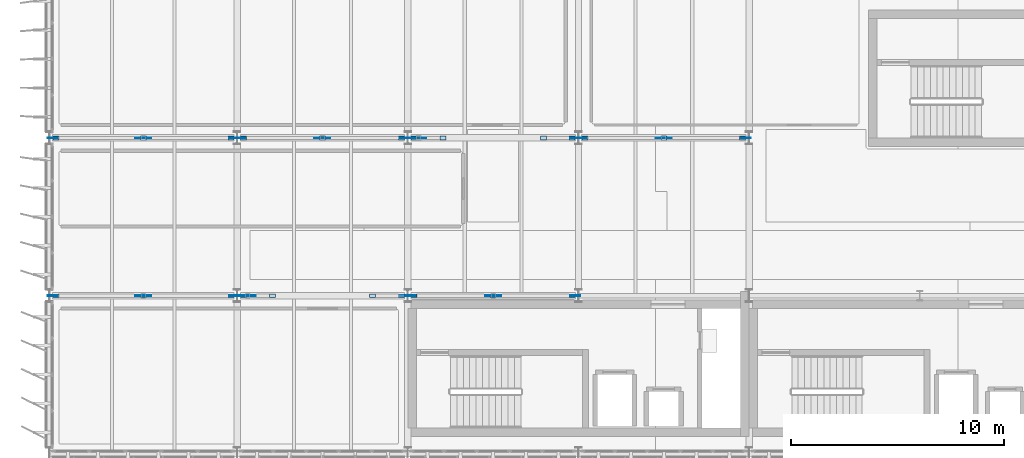
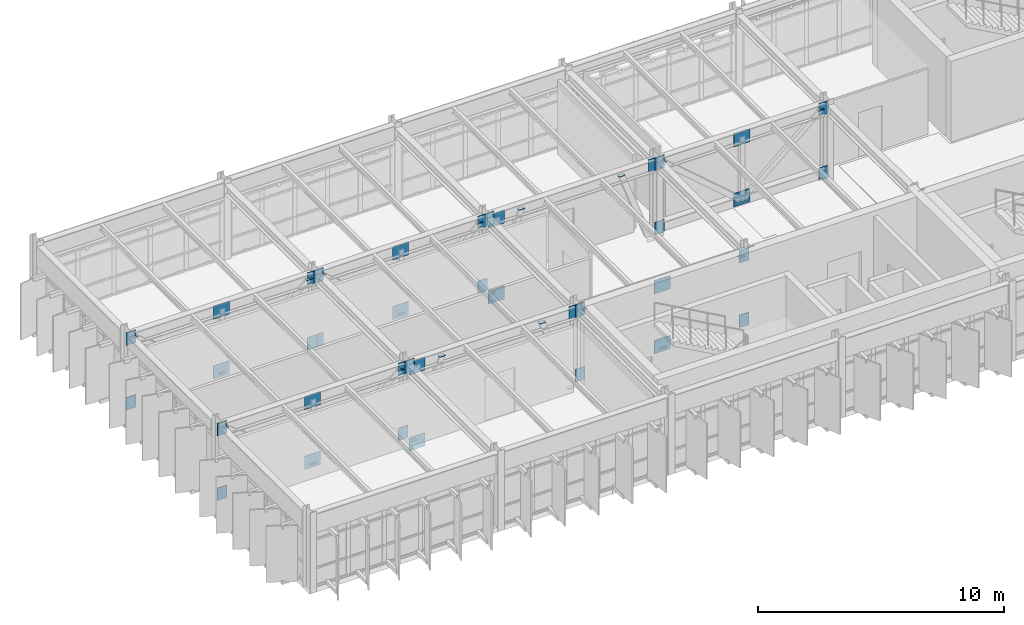
# One storey, part 35 of 56: 61 plates.
"""IFC4 building model written with IfcOpenShell, lengths in metres."""

from ifc_helpers import new_model, si_unit, direction, frame, origin, origin_2d, place, context, subcontext, project, spatial, rectangle, extrude, material, layer, layer_set, type_object, element, save


model = new_model("IFC4")

# Units and contexts
model_context = context("Model", 3, precision=1e-05, world=origin(), true_north=direction((0.0, 1.0)))
body_context = subcontext(model_context, "Body", "Model", "MODEL_VIEW")
ifc_project = project(units=[si_unit("LENGTHUNIT", "METRE"), si_unit("AREAUNIT", "SQUARE_METRE"), si_unit("VOLUMEUNIT", "CUBIC_METRE"), si_unit("PLANEANGLEUNIT", "RADIAN"), si_unit("MASSUNIT", "GRAM", prefix="KILO")], contexts=[model_context])

# Site, building, storey
site_placement = place(None, origin())
site = spatial("IfcSite", under=ifc_project, at=site_placement, CompositionType="ELEMENT")
building_placement = place(site_placement, origin())
building = spatial("IfcBuilding", under=site, at=building_placement, Name="Valkorina Park Police Headquarters", CompositionType="ELEMENT")
storey_placement = place(building_placement, frame((0.0, 0.0, 14.10009765625)))
storey = spatial("IfcBuildingStorey", under=building, at=storey_placement, Name="L04", CompositionType="ELEMENT", Elevation=14.10009765625)

# Plates
ifc_material = material(Name="Steel S355", Category="steel")
ifc_layer_1 = layer(ifc_material, 0.02001953125)
ifc_layer_set_1 = layer_set([ifc_layer_1], Name="Steel S355")
plate_type_1 = type_object("IfcPlateType", Name="PL-ENDCAP-20", PredefinedType="USERDEFINED", material=ifc_layer_set_1)
for number, where, z_axis, x_axis, name in (
    (1, (0.300048828125, 44.39990234375, 3.44482421875), (0.0, 0.0, 1.0), (1.0, 0.0, 0.0), "Truss RHS End Cap Plate 131"),
    (2, (4.39990234375, 44.39990234375, 0.239990234375), (0.0, 0.0, 1.0), (1.0, 0.0, 0.0), "Truss RHS End Cap Plate 132"),
    (3, (8.5, 44.39990234375, 3.44482421875), (0.0, 0.0, 1.0), (1.0, 0.0, 0.0), "Truss RHS End Cap Plate 133"),
    (4, (9.10009765625, 44.39990234375, -0.255126953125), (0.0, 0.0, 1.0), (1.0, 0.0, 0.0), "Truss RHS End Cap Plate 138"),
    (5, (10.449951171875, 44.39990234375, 3.44482421875), (0.0, 0.0, 1.0), (1.0, 0.0, 0.0), "Truss RHS End Cap Plate 139"),
    (6, (15.14990234375, 44.39990234375, 3.44482421875), (0.0, 0.0, 1.0), (1.0, 0.0, 0.0), "Truss RHS End Cap Plate 140"),
    (7, (16.5, 44.39990234375, -0.255126953125), (0.0, 0.0, 1.0), (1.0, 0.0, 0.0), "Truss RHS End Cap Plate 141"),
    (8, (17.10009765625, 44.39990234375, 3.44482421875), (0.0, 0.0, 1.0), (1.0, 0.0, 0.0), "Truss RHS End Cap Plate 148"),
    (9, (20.800048828125, 44.39990234375, 0.239990234375), (0.0, 0.0, 1.0), (1.0, 0.0, 0.0), "Truss RHS End Cap Plate 149"),
    (10, (24.5, 44.39990234375, 3.44482421875), (0.0, 0.0, 1.0), (1.0, 0.0, 0.0), "Truss RHS End Cap Plate 150"),
    (11, (0.300048828125, 51.800048828125, 3.44482421875), (0.0, 0.0, 1.0), (1.0, 0.0, 0.0), "Truss RHS End Cap Plate 157"),
    (12, (4.39990234375, 51.800048828125, 0.239990234375), (0.0, 0.0, 1.0), (1.0, 0.0, 0.0), "Truss RHS End Cap Plate 158"),
    (13, (8.5, 51.800048828125, 3.44482421875), (0.0, 0.0, 1.0), (1.0, 0.0, 0.0), "Truss RHS End Cap Plate 159"),
    (14, (9.10009765625, 51.800048828125, 3.44482421875), (0.0, 0.0, 1.0), (1.0, 0.0, 0.0), "Truss RHS End Cap Plate 166"),
    (15, (12.800048828125, 51.800048828125, 0.239990234375), (0.0, 0.0, 1.0), (1.0, 0.0, 0.0), "Truss RHS End Cap Plate 167"),
    (16, (16.5, 51.800048828125, 3.44482421875), (0.0, 0.0, 1.0), (1.0, 0.0, 0.0), "Truss RHS End Cap Plate 168"),
    (17, (17.10009765625, 51.800048828125, -0.255126953125), (0.0, 0.0, 1.0), (1.0, 0.0, 0.0), "Truss RHS End Cap Plate 173"),
    (18, (18.449951171875, 51.800048828125, 3.44482421875), (0.0, 0.0, 1.0), (1.0, 0.0, 0.0), "Truss RHS End Cap Plate 174"),
    (19, (23.14990234375, 51.800048828125, 3.44482421875), (0.0, 0.0, 1.0), (1.0, 0.0, 0.0), "Truss RHS End Cap Plate 175"),
    (20, (24.5, 51.800048828125, -0.255126953125), (0.0, 0.0, 1.0), (1.0, 0.0, 0.0), "Truss RHS End Cap Plate 176"),
    (21, (25.10009765625, 51.800048828125, 3.44482421875), (0.0, 0.0, 1.0), (1.0, 0.0, 0.0), "Truss RHS End Cap Plate 183"),
    (22, (28.800048828125, 51.800048828125, 0.239990234375), (0.0, 0.0, 1.0), (1.0, 0.0, 0.0), "Truss RHS End Cap Plate 184"),
    (23, (32.5, 51.800048828125, 3.44482421875), (0.0, 0.0, 1.0), (1.0, 0.0, 0.0), "Truss RHS End Cap Plate 185"),
):
    element("IfcPlate", number, at=place(storey_placement, frame(where, z_axis=z_axis, x_axis=x_axis)), inside=storey, type_object=plate_type_1, Name=name, ObjectType="END CAP PLATE", PredefinedType="USERDEFINED", context=body_context, shape_type="SweptSolid", body=[
        extrude(rectangle(XDim=0.280029296875, YDim=0.179931640625, at=origin_2d()), origin(), (0.0, 0.0, 1.0), 0.02001953125),
    ])
ifc_layer_2 = layer(ifc_material, 0.031982421875)
ifc_layer_set_2 = layer_set([ifc_layer_2], Name="Steel S355")
plate_type_2 = type_object("IfcPlateType", Name="PL-GUSSET-32", PredefinedType="USERDEFINED", material=ifc_layer_set_2)
for number, where, z_axis, x_axis, name in (
    (24, (0.14990234375, 44.39990234375, -0.06005859375), (0.0, 0.0, 1.0), (1.0, 0.0, 0.0), "Truss Chord Column Gusset Plate 127"),
    (25, (0.14990234375, 44.39990234375, 3.144775390625), (0.0, 0.0, 1.0), (1.0, 0.0, 0.0), "Truss Chord Column Gusset Plate 128"),
    (26, (8.64990234375, 44.39990234375, -0.06005859375), (0.0, 0.0, 1.0), (1.0, 0.0, 0.0), "Truss Chord Column Gusset Plate 129"),
    (27, (8.64990234375, 44.39990234375, 3.144775390625), (0.0, 0.0, 1.0), (1.0, 0.0, 0.0), "Truss Chord Column Gusset Plate 130"),
):
    element("IfcPlate", number, at=place(storey_placement, frame(where, z_axis=z_axis, x_axis=x_axis)), inside=storey, type_object=plate_type_2, Name=name, ObjectType="GUSSET PLATE", PredefinedType="USERDEFINED", context=body_context, shape_type="SweptSolid", body=[
        extrude(rectangle(XDim=0.449951171875, YDim=0.031982421875, at=origin_2d()), origin(), (0.0, 0.0, 1.0), 0.6201171875),
    ])
for number, where, z_axis, x_axis, name in (
    (28, (4.39990234375, 44.39990234375, 0.044921875), (0.0, 0.0, 1.0), (1.0, 0.0, 0.0), "Truss Node Gusset Plate TN-01 134"),
    (29, (4.39990234375, 44.39990234375, 3.010009765625), (0.0, 0.0, 1.0), (1.0, 0.0, 0.0), "Truss Top Node Gusset Plate TN-01 135"),
):
    element("IfcPlate", number, at=place(storey_placement, frame(where, z_axis=z_axis, x_axis=x_axis)), inside=storey, type_object=plate_type_2, Name=name, ObjectType="GUSSET PLATE", PredefinedType="USERDEFINED", context=body_context, shape_type="SweptSolid", body=[
        extrude(rectangle(XDim=0.75, YDim=0.031982421875, at=origin_2d()), origin(), (0.0, 0.0, 1.0), 0.64990234375),
    ])
for number, where, z_axis, x_axis, name in (
    (30, (8.949951171875, 44.39990234375, 3.144775390625), (0.0, 0.0, 1.0), (1.0, 0.0, 0.0), "Truss Chord Column Gusset Plate 136"),
    (31, (16.64990234375, 44.39990234375, 3.144775390625), (0.0, 0.0, 1.0), (1.0, 0.0, 0.0), "Truss Chord Column Gusset Plate 137"),
):
    element("IfcPlate", number, at=place(storey_placement, frame(where, z_axis=z_axis, x_axis=x_axis)), inside=storey, type_object=plate_type_2, Name=name, ObjectType="GUSSET PLATE", PredefinedType="USERDEFINED", context=body_context, shape_type="SweptSolid", body=[
        extrude(rectangle(XDim=0.449951171875, YDim=0.031982421875, at=origin_2d()), origin(), (0.0, 0.0, 1.0), 0.6201171875),
    ])
for number, where, z_axis, x_axis, name in (
    (32, (9.300048828125, 44.39990234375, -0.75), (0.0, 0.0, 1.0), (1.0, 0.0, 0.0), "Truss Node Gusset Plate TN-02 142"),
    (33, (9.300048828125, 44.39990234375, 3.010009765625), (0.0, 0.0, 1.0), (1.0, 0.0, 0.0), "Truss Top Node Gusset Plate TN-02 143"),
):
    element("IfcPlate", number, at=place(storey_placement, frame(where, z_axis=z_axis, x_axis=x_axis)), inside=storey, type_object=plate_type_2, Name=name, ObjectType="GUSSET PLATE", PredefinedType="USERDEFINED", context=body_context, shape_type="SweptSolid", body=[
        extrude(rectangle(XDim=0.75, YDim=0.031982421875, at=origin_2d()), origin(), (0.0, 0.0, 1.0), 0.64990234375),
    ])
for number, where, z_axis, x_axis, name in (
    (34, (16.949951171875, 44.39990234375, -0.06005859375), (0.0, 0.0, 1.0), (1.0, 0.0, 0.0), "Truss Chord Column Gusset Plate 144"),
    (35, (16.949951171875, 44.39990234375, 3.144775390625), (0.0, 0.0, 1.0), (1.0, 0.0, 0.0), "Truss Chord Column Gusset Plate 145"),
    (36, (24.64990234375, 44.39990234375, -0.06005859375), (0.0, 0.0, 1.0), (1.0, 0.0, 0.0), "Truss Chord Column Gusset Plate 146"),
    (37, (24.64990234375, 44.39990234375, 3.144775390625), (0.0, 0.0, 1.0), (1.0, 0.0, 0.0), "Truss Chord Column Gusset Plate 147"),
):
    element("IfcPlate", number, at=place(storey_placement, frame(where, z_axis=z_axis, x_axis=x_axis)), inside=storey, type_object=plate_type_2, Name=name, ObjectType="GUSSET PLATE", PredefinedType="USERDEFINED", context=body_context, shape_type="SweptSolid", body=[
        extrude(rectangle(XDim=0.449951171875, YDim=0.031982421875, at=origin_2d()), origin(), (0.0, 0.0, 1.0), 0.6201171875),
    ])
for number, where, z_axis, x_axis, name in (
    (38, (20.800048828125, 44.39990234375, 0.044921875), (0.0, 0.0, 1.0), (1.0, 0.0, 0.0), "Truss Node Gusset Plate TN-03 151"),
    (39, (20.800048828125, 44.39990234375, 3.010009765625), (0.0, 0.0, 1.0), (1.0, 0.0, 0.0), "Truss Top Node Gusset Plate TN-03 152"),
):
    element("IfcPlate", number, at=place(storey_placement, frame(where, z_axis=z_axis, x_axis=x_axis)), inside=storey, type_object=plate_type_2, Name=name, ObjectType="GUSSET PLATE", PredefinedType="USERDEFINED", context=body_context, shape_type="SweptSolid", body=[
        extrude(rectangle(XDim=0.75, YDim=0.031982421875, at=origin_2d()), origin(), (0.0, 0.0, 1.0), 0.64990234375),
    ])
for number, where, z_axis, x_axis, name in (
    (40, (0.14990234375, 51.800048828125, -0.06005859375), (0.0, 0.0, 1.0), (1.0, 0.0, 0.0), "Truss Chord Column Gusset Plate 153"),
    (41, (0.14990234375, 51.800048828125, 3.144775390625), (0.0, 0.0, 1.0), (1.0, 0.0, 0.0), "Truss Chord Column Gusset Plate 154"),
    (42, (8.64990234375, 51.800048828125, -0.06005859375), (0.0, 0.0, 1.0), (1.0, 0.0, 0.0), "Truss Chord Column Gusset Plate 155"),
    (43, (8.64990234375, 51.800048828125, 3.144775390625), (0.0, 0.0, 1.0), (1.0, 0.0, 0.0), "Truss Chord Column Gusset Plate 156"),
):
    element("IfcPlate", number, at=place(storey_placement, frame(where, z_axis=z_axis, x_axis=x_axis)), inside=storey, type_object=plate_type_2, Name=name, ObjectType="GUSSET PLATE", PredefinedType="USERDEFINED", context=body_context, shape_type="SweptSolid", body=[
        extrude(rectangle(XDim=0.449951171875, YDim=0.031982421875, at=origin_2d()), origin(), (0.0, 0.0, 1.0), 0.6201171875),
    ])
for number, where, z_axis, x_axis, name in (
    (44, (4.39990234375, 51.800048828125, 0.044921875), (0.0, 0.0, 1.0), (1.0, 0.0, 0.0), "Truss Node Gusset Plate TN-01 160"),
    (45, (4.39990234375, 51.800048828125, 3.010009765625), (0.0, 0.0, 1.0), (1.0, 0.0, 0.0), "Truss Top Node Gusset Plate TN-01 161"),
):
    element("IfcPlate", number, at=place(storey_placement, frame(where, z_axis=z_axis, x_axis=x_axis)), inside=storey, type_object=plate_type_2, Name=name, ObjectType="GUSSET PLATE", PredefinedType="USERDEFINED", context=body_context, shape_type="SweptSolid", body=[
        extrude(rectangle(XDim=0.75, YDim=0.031982421875, at=origin_2d()), origin(), (0.0, 0.0, 1.0), 0.64990234375),
    ])
for number, where, z_axis, x_axis, name in (
    (46, (8.949951171875, 51.800048828125, -0.06005859375), (0.0, 0.0, 1.0), (1.0, 0.0, 0.0), "Truss Chord Column Gusset Plate 162"),
    (47, (8.949951171875, 51.800048828125, 3.144775390625), (0.0, 0.0, 1.0), (1.0, 0.0, 0.0), "Truss Chord Column Gusset Plate 163"),
    (48, (16.64990234375, 51.800048828125, -0.06005859375), (0.0, 0.0, 1.0), (1.0, 0.0, 0.0), "Truss Chord Column Gusset Plate 164"),
    (49, (16.64990234375, 51.800048828125, 3.144775390625), (0.0, 0.0, 1.0), (1.0, 0.0, 0.0), "Truss Chord Column Gusset Plate 165"),
):
    element("IfcPlate", number, at=place(storey_placement, frame(where, z_axis=z_axis, x_axis=x_axis)), inside=storey, type_object=plate_type_2, Name=name, ObjectType="GUSSET PLATE", PredefinedType="USERDEFINED", context=body_context, shape_type="SweptSolid", body=[
        extrude(rectangle(XDim=0.449951171875, YDim=0.031982421875, at=origin_2d()), origin(), (0.0, 0.0, 1.0), 0.6201171875),
    ])
for number, where, z_axis, x_axis, name in (
    (50, (12.800048828125, 51.800048828125, 0.044921875), (0.0, 0.0, 1.0), (1.0, 0.0, 0.0), "Truss Node Gusset Plate TN-02 169"),
    (51, (12.800048828125, 51.800048828125, 3.010009765625), (0.0, 0.0, 1.0), (1.0, 0.0, 0.0), "Truss Top Node Gusset Plate TN-02 170"),
):
    element("IfcPlate", number, at=place(storey_placement, frame(where, z_axis=z_axis, x_axis=x_axis)), inside=storey, type_object=plate_type_2, Name=name, ObjectType="GUSSET PLATE", PredefinedType="USERDEFINED", context=body_context, shape_type="SweptSolid", body=[
        extrude(rectangle(XDim=0.75, YDim=0.031982421875, at=origin_2d()), origin(), (0.0, 0.0, 1.0), 0.64990234375),
    ])
for number, where, z_axis, x_axis, name in (
    (52, (16.949951171875, 51.800048828125, 3.144775390625), (0.0, 0.0, 1.0), (1.0, 0.0, 0.0), "Truss Chord Column Gusset Plate 171"),
    (53, (24.64990234375, 51.800048828125, 3.144775390625), (0.0, 0.0, 1.0), (1.0, 0.0, 0.0), "Truss Chord Column Gusset Plate 172"),
):
    element("IfcPlate", number, at=place(storey_placement, frame(where, z_axis=z_axis, x_axis=x_axis)), inside=storey, type_object=plate_type_2, Name=name, ObjectType="GUSSET PLATE", PredefinedType="USERDEFINED", context=body_context, shape_type="SweptSolid", body=[
        extrude(rectangle(XDim=0.449951171875, YDim=0.031982421875, at=origin_2d()), origin(), (0.0, 0.0, 1.0), 0.6201171875),
    ])
for number, where, z_axis, x_axis, name in (
    (54, (17.300048828125, 51.800048828125, -0.75), (0.0, 0.0, 1.0), (1.0, 0.0, 0.0), "Truss Node Gusset Plate TN-03 177"),
    (55, (17.300048828125, 51.800048828125, 3.010009765625), (0.0, 0.0, 1.0), (1.0, 0.0, 0.0), "Truss Top Node Gusset Plate TN-03 178"),
):
    element("IfcPlate", number, at=place(storey_placement, frame(where, z_axis=z_axis, x_axis=x_axis)), inside=storey, type_object=plate_type_2, Name=name, ObjectType="GUSSET PLATE", PredefinedType="USERDEFINED", context=body_context, shape_type="SweptSolid", body=[
        extrude(rectangle(XDim=0.75, YDim=0.031982421875, at=origin_2d()), origin(), (0.0, 0.0, 1.0), 0.64990234375),
    ])
for number, where, z_axis, x_axis, name in (
    (56, (24.949951171875, 51.800048828125, -0.06005859375), (0.0, 0.0, 1.0), (1.0, 0.0, 0.0), "Truss Chord Column Gusset Plate 179"),
    (57, (24.949951171875, 51.800048828125, 3.144775390625), (0.0, 0.0, 1.0), (1.0, 0.0, 0.0), "Truss Chord Column Gusset Plate 180"),
    (58, (32.64990234375, 51.800048828125, -0.06005859375), (0.0, 0.0, 1.0), (1.0, 0.0, 0.0), "Truss Chord Column Gusset Plate 181"),
    (59, (32.64990234375, 51.800048828125, 3.144775390625), (0.0, 0.0, 1.0), (1.0, 0.0, 0.0), "Truss Chord Column Gusset Plate 182"),
):
    element("IfcPlate", number, at=place(storey_placement, frame(where, z_axis=z_axis, x_axis=x_axis)), inside=storey, type_object=plate_type_2, Name=name, ObjectType="GUSSET PLATE", PredefinedType="USERDEFINED", context=body_context, shape_type="SweptSolid", body=[
        extrude(rectangle(XDim=0.449951171875, YDim=0.031982421875, at=origin_2d()), origin(), (0.0, 0.0, 1.0), 0.6201171875),
    ])
for number, where, z_axis, x_axis, name in (
    (60, (28.800048828125, 51.800048828125, 0.044921875), (0.0, 0.0, 1.0), (1.0, 0.0, 0.0), "Truss Node Gusset Plate TN-04 186"),
    (61, (28.800048828125, 51.800048828125, 3.010009765625), (0.0, 0.0, 1.0), (1.0, 0.0, 0.0), "Truss Top Node Gusset Plate TN-04 187"),
):
    element("IfcPlate", number, at=place(storey_placement, frame(where, z_axis=z_axis, x_axis=x_axis)), inside=storey, type_object=plate_type_2, Name=name, ObjectType="GUSSET PLATE", PredefinedType="USERDEFINED", context=body_context, shape_type="SweptSolid", body=[
        extrude(rectangle(XDim=0.75, YDim=0.031982421875, at=origin_2d()), origin(), (0.0, 0.0, 1.0), 0.64990234375),
    ])

save(model, "model.ifc")
